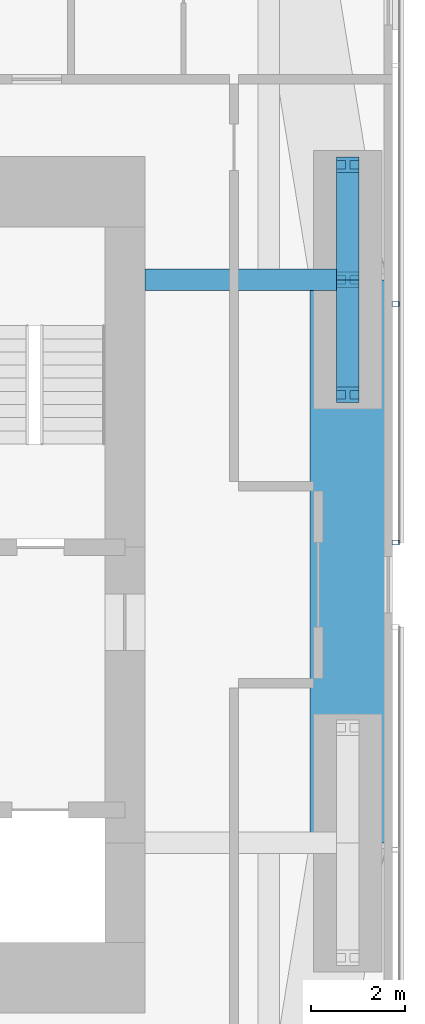
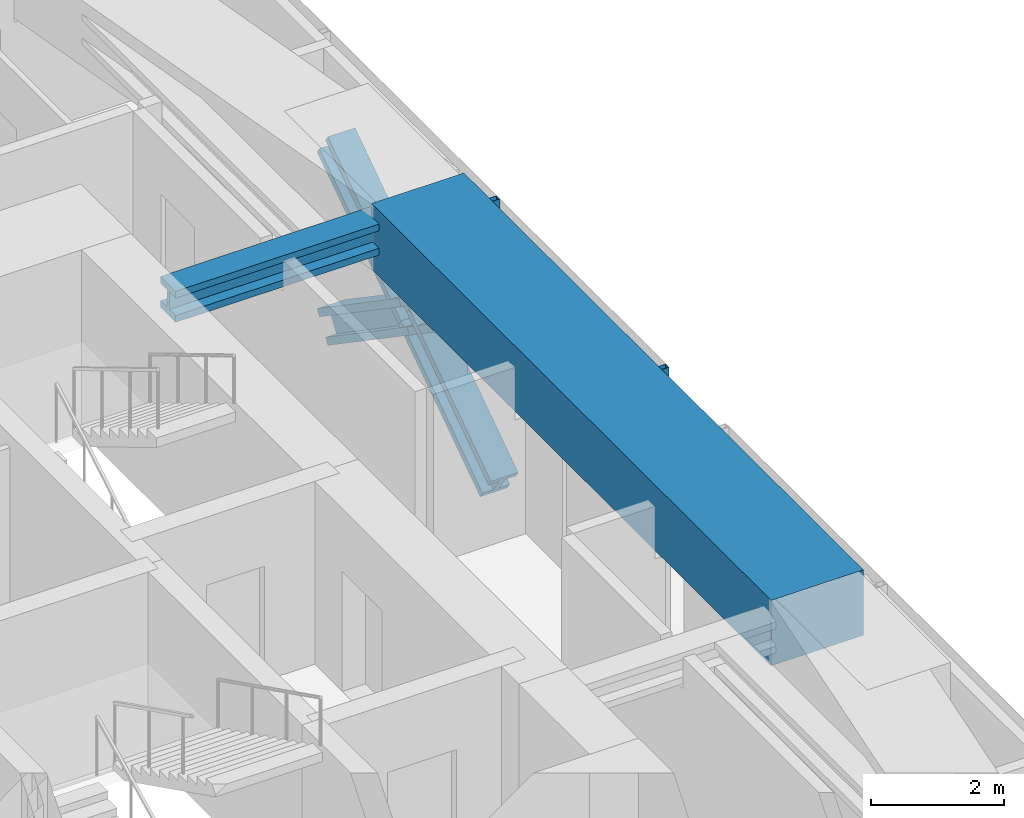
# One storey, part 10 of 25: 6 members, 2 beams, 1 element without a shape of its own.
"""IFC4 building model written with IfcOpenShell, lengths in metres."""

from ifc_helpers import new_model, si_unit, direction, frame, origin, origin_2d, place, context, subcontext, project, spatial, rectangle, hollow_rectangle, i_section, extrude, material, material_profile, profile_set, type_object, element, aggregate, save


model = new_model("IFC4")

# Units and contexts
model_context = context("Model", 3, precision=1e-05, world=origin(), true_north=direction((0.0, 1.0)))
body_context = subcontext(model_context, "Body", "Model", "MODEL_VIEW")
ifc_project = project(units=[si_unit("LENGTHUNIT", "METRE"), si_unit("AREAUNIT", "SQUARE_METRE"), si_unit("VOLUMEUNIT", "CUBIC_METRE"), si_unit("PLANEANGLEUNIT", "RADIAN"), si_unit("MASSUNIT", "GRAM", prefix="KILO")], contexts=[model_context])

# Site, building, storey
site_placement = place(None, origin())
site = spatial("IfcSite", under=ifc_project, at=site_placement, CompositionType="ELEMENT")
building_placement = place(site_placement, origin())
building = spatial("IfcBuilding", under=site, at=building_placement, Name="Jalousie Tower", CompositionType="ELEMENT")
storey_placement = place(building_placement, frame((0.0, 0.0, 101.5)))
storey = spatial("IfcBuildingStorey", under=building, at=storey_placement, Name="L27", CompositionType="ELEMENT", Elevation=101.5)

# Beam
ifc_material_1 = material(Name="Steel ASTM A992 Grade 50", Category="steel")
ifc_material_profile_1 = material_profile(ifc_material_1, i_section(OverallWidth=0.45458984375, OverallDepth=0.569091796875, WebThickness=0.077880859375, FlangeThickness=0.124755859375, at=origin_2d()), Name="W14X730")
ifc_profile_set_1 = profile_set([ifc_material_profile_1], Name="Steel ASTM A992 Grade 50")
beam_type_1 = type_object("IfcBeamType", Name="LEAN COLLECTOR W14X730", PredefinedType="BEAM", material=ifc_profile_set_1)
beam_1_placement = place(storey_placement, frame((48.550048828125, 25.0, 2.825439453125), z_axis=(-1.0, 0.0, 0.0), x_axis=(0.0, -1.0, 0.0)))
element("IfcBeam", 1, at=beam_1_placement, inside=storey, type_object=beam_type_1, Name="Lean collector under L28", PredefinedType="BEAM", context=body_context, shape_type="SweptSolid", body=[
    extrude(i_section(OverallWidth=0.45458984375, OverallDepth=0.569091796875, WebThickness=0.077880859375, FlangeThickness=0.124755859375, at=origin_2d()), origin(), (0.0, 0.0, 1.0), 4.324951171875),
])

# Members
ifc_material_2 = material(Name="Steel ASTM A992 Grade 50", Category="steel")
ifc_material_profile_2 = material_profile(ifc_material_2, i_section(OverallWidth=0.472412109375, OverallDepth=0.5791015625, WebThickness=0.094970703125, FlangeThickness=0.1298828125, at=origin_2d()), Name="W14X808")
ifc_profile_set_2 = profile_set([ifc_material_profile_2], Name="Steel ASTM A992 Grade 50")
member_type_1 = type_object("IfcMemberType", Name="PERIMETER BRACE W14X808", PredefinedType="BRACE", material=ifc_profile_set_2)
for number, where, z_axis, x_axis, name in (
    (2, (48.550048828125, 22.550048828125, -0.60009765625), (0.0, 0.825500916831, 0.564400776321), (-1.0, 0.0, 0.0), "Perimeter brace 07 L27 part 1"),
    (3, (48.550048828125, 25.0, 1.074951171875), (0.0, 0.825500916831, 0.564400776321), (-1.0, 0.0, 0.0), "Perimeter brace 07 L27 part 2"),
    (4, (48.550048828125, 27.449951171875, -0.60009765625), (0.0, -0.825500916831, 0.564400776321), (1.0, 0.0, 0.0), "Perimeter brace 07 L27 part 3"),
    (5, (48.550048828125, 25.0, 1.074951171875), (0.0, -0.825500916831, 0.564400776321), (1.0, 0.0, 0.0), "Perimeter brace 07 L27 part 4"),
):
    element("IfcMember", number, at=place(storey_placement, frame(where, z_axis=z_axis, x_axis=x_axis)), inside=storey, type_object=member_type_1, Name=name, PredefinedType="BRACE", context=body_context, shape_type="SweptSolid", body=[
        extrude(i_section(OverallWidth=0.472412109375, OverallDepth=0.5791015625, WebThickness=0.094970703125, FlangeThickness=0.1298828125, at=origin_2d()), origin(), (0.0, 0.0, 1.0), 2.9677734375),
    ])

# Beam
ifc_material_3 = material(Name="Concrete f'c 40 MPa", Category="concrete")
ifc_material_profile_3 = material_profile(ifc_material_3, rectangle(XDim=1.60009765625, YDim=1.199951171875, at=origin_2d()), Name="RC 1600x1200")
ifc_profile_set_3 = profile_set([ifc_material_profile_3], Name="Concrete f'c 40 MPa")
beam_type_2 = type_object("IfcBeamType", Name="RC BEAM 1600x1200", PredefinedType="BEAM", material=ifc_profile_set_3)
beam_2_placement = place(storey_placement, frame((48.550048828125, 13.0, 2.75), z_axis=(0.0, 1.0, 0.0), x_axis=(-1.0, 0.0, 0.0)))
element("IfcBeam", 6, at=beam_2_placement, inside=storey, type_object=beam_type_2, Name="Edge band beam 06-07 under L28", PredefinedType="BEAM", context=body_context, shape_type="SweptSolid", body=[
    extrude(rectangle(XDim=1.60009765625, YDim=1.199951171875, at=origin_2d()), origin(), (0.0, 0.0, 1.0), 12.0),
])

# Curtain wall, members
ifc_material_4 = material(Name="Perforated aluminium sheet", Category="aluminium")
curtain_wall_type = type_object("IfcCurtainWallType", Name="SOLAR SCREEN SS-1", PredefinedType="USERDEFINED", material=ifc_material_4)
curtain_wall_placement = place(storey_placement, origin())
curtain_wall = element("IfcCurtainWall", 7, at=curtain_wall_placement, inside=storey, type_object=curtain_wall_type, Name="Solar screen L27", ObjectType="SOLAR SCREEN SS-1", PredefinedType="USERDEFINED")
ifc_material_5 = material(Name="Steel ASTM A500 Grade C", Category="steel")
ifc_material_profile_4 = material_profile(ifc_material_5, hollow_rectangle(XDim=0.1015625, YDim=0.15234375, WallThickness=0.00634765625, at=origin_2d()), Name="HSS6X4X1/4")
ifc_profile_set_4 = profile_set([ifc_material_profile_4], Name="Steel ASTM A500 Grade C")
member_type_2 = type_object("IfcMemberType", Name="SOLAR SCREEN SS-1 MULLION", PredefinedType="MULLION", material=ifc_profile_set_4)
member_1_placement = place(storey_placement, frame((49.5712890625, 19.39990234375, -0.1201171875), z_axis=(0.0, 0.0, 1.0), x_axis=(0.0, 1.0, 0.0)))
member_1 = element("IfcMember", 8, at=member_1_placement, type_object=member_type_2, Name="SS1 post 1", PredefinedType="MULLION", context=body_context, shape_type="SweptSolid", body=[
    extrude(hollow_rectangle(XDim=0.1015625, YDim=0.15234375, WallThickness=0.00634765625, at=origin_2d()), origin(), (0.0, 0.0, 1.0), 3.230224609375),
])
member_2_placement = place(storey_placement, frame((49.5712890625, 24.48291015625, -0.1201171875), z_axis=(0.0, 0.0, 1.0), x_axis=(0.0, 1.0, 0.0)))
member_2 = element("IfcMember", 9, at=member_2_placement, type_object=member_type_2, Name="SS1 post 2", PredefinedType="MULLION", context=body_context, shape_type="SweptSolid", body=[
    extrude(hollow_rectangle(XDim=0.1015625, YDim=0.15234375, WallThickness=0.00634765625, at=origin_2d()), origin(), (0.0, 0.0, 1.0), 3.230224609375),
])
aggregate(curtain_wall, [member_1, member_2])

save(model, "model.ifc")
